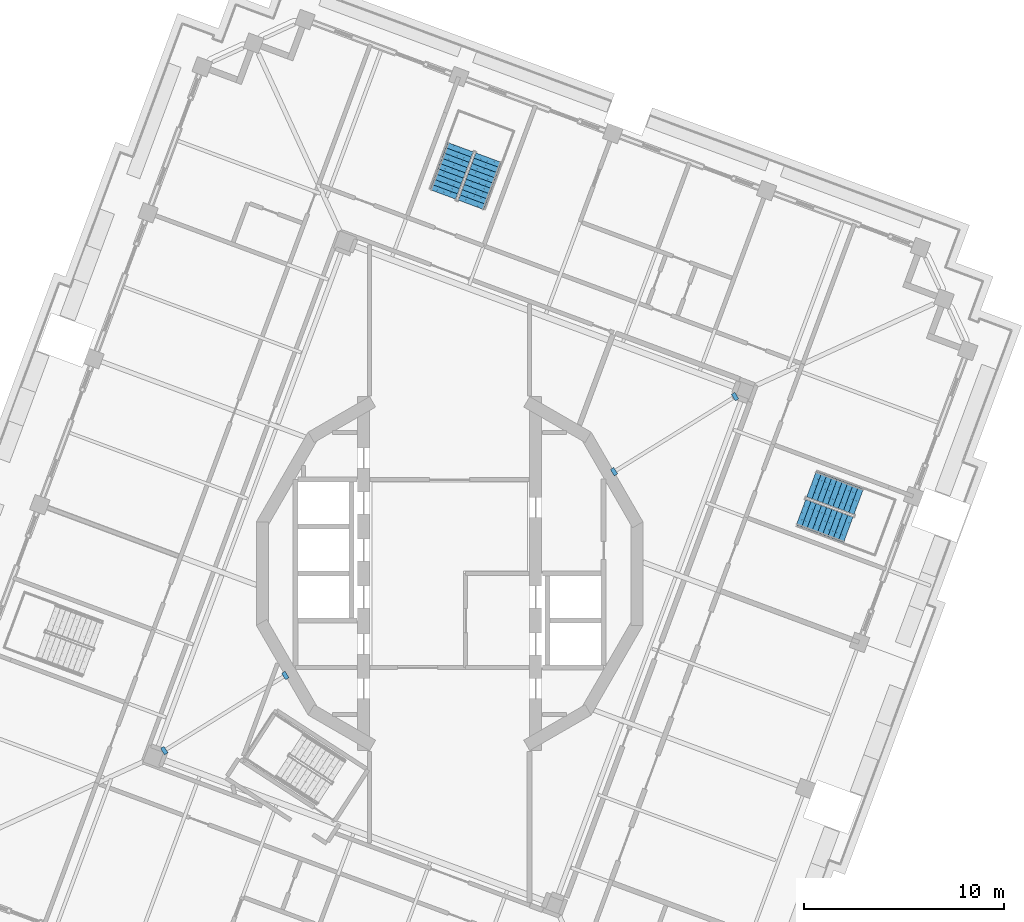
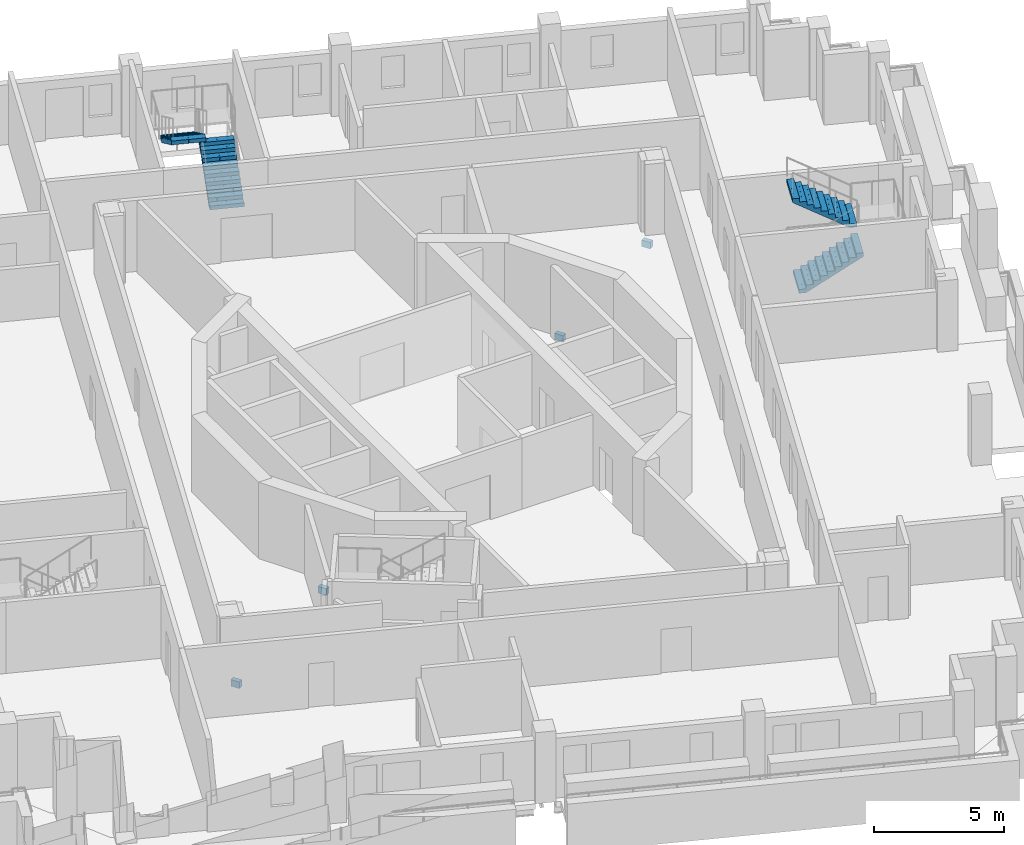
# One storey, part 10 of 18: 4 discrete accessories, 4 stair flights, 2 elements without a shape of their own.
"""IFC4 building model written with IfcOpenShell, lengths in metres."""

import ifcopenshell
import ifcopenshell.guid

model = None  # the IFC model being written
_history = None  # IfcOwnerHistory: only IFC2X3 demands one
_inside = {}  # id of a spatial element -> (the spatial element, [elements in it])
_under = {}  # id of a project, library or spatial element -> (it, [spatial elements below it])
_declared = {}  # id of a project -> (the project, [libraries it declares])
_typed = {}  # id of a type object -> (the type object, [elements of that type])
_made_of = {}  # id of a material, layer set ... -> (it, [elements and type objects made of it])


def new_model(schema):
    """Start an empty IFC model of exactly this schema.

    Asked for "IFC4X3", IfcOpenShell would pick the latest addendum, in which some entities
    have other attributes; the version numbers below select the first issue.
    IFC2X3 requires an IfcOwnerHistory on every rooted entity: one is made here for all.
    """
    global model, _history
    if schema == "IFC4X3":
        model = ifcopenshell.file(schema_version=(4, 3, 0, 0))
    else:
        model = ifcopenshell.file(schema=schema)
    _inside.clear()
    _under.clear()
    _declared.clear()
    _typed.clear()
    _made_of.clear()
    _history = None
    if model.schema == "IFC2X3":
        org = make("IfcOrganization", Name="unknown")
        user = make(
            "IfcPersonAndOrganization",
            ThePerson=make("IfcPerson", FamilyName="unknown"),
            TheOrganization=org,
        )
        app = make(
            "IfcApplication",
            ApplicationDeveloper=org,
            Version="unknown",
            ApplicationFullName="unknown",
            ApplicationIdentifier="unknown",
        )
        _history = make(
            "IfcOwnerHistory",
            OwningUser=user,
            OwningApplication=app,
            ChangeAction="ADDED",
            CreationDate=0,
        )
    return model


def make(cls, **values):
    """One entity of the class cls with the attributes given. An attribute that is None is left unset."""
    return model.create_entity(
        cls, **{name: value for name, value in values.items() if value is not None}
    )


def rooted(cls, **values):
    """An entity with a GlobalId (a new one), such as an element, a storey or a relation."""
    return make(cls, GlobalId=ifcopenshell.guid.new(), OwnerHistory=_history, **values)


def si_unit(unit_type, name, prefix=None):
    """IfcSIUnit, for example si_unit("LENGTHUNIT", "METRE", prefix="MILLI")."""
    return make("IfcSIUnit", UnitType=unit_type, Prefix=prefix, Name=name)


def assignment(units):
    """IfcUnitAssignment: the units of a project."""
    return None if units is None else make("IfcUnitAssignment", Units=units)


def point(xyz):
    """IfcCartesianPoint."""
    return None if xyz is None else make("IfcCartesianPoint", Coordinates=xyz)


def direction(xyz):
    """IfcDirection."""
    return None if xyz is None else make("IfcDirection", DirectionRatios=xyz)


def frame(location, z_axis=None, x_axis=None):
    """IfcAxis2Placement3D, a coordinate frame: its origin and axes. An axis left out is left unset."""
    return make(
        "IfcAxis2Placement3D",
        Location=point(location),
        Axis=direction(z_axis),
        RefDirection=direction(x_axis),
    )


def origin():
    """The frame at (0, 0, 0) with its axes left unset."""
    return frame((0.0, 0.0, 0.0))


def place(relative_to, where):
    """IfcLocalPlacement: puts the frame where relative to a parent placement (None: the world)."""
    return make(
        "IfcLocalPlacement", PlacementRelTo=relative_to, RelativePlacement=where
    )


def context(
    kind, dimensions, precision=None, world=None, true_north=None, identifier=None
):
    """IfcGeometricRepresentationContext, for example the 3D "Model" context."""
    return make(
        "IfcGeometricRepresentationContext",
        ContextIdentifier=identifier,
        ContextType=kind,
        CoordinateSpaceDimension=dimensions,
        Precision=precision,
        WorldCoordinateSystem=world,
        TrueNorth=true_north,
    )


def subcontext(parent, identifier, kind, view, scale=None):
    """IfcGeometricRepresentationSubContext, for example "Body" below "Model"."""
    return make(
        "IfcGeometricRepresentationSubContext",
        ContextIdentifier=identifier,
        ContextType=kind,
        ParentContext=parent,
        TargetScale=scale,
        TargetView=view,
    )


def project(units=None, contexts=None):
    """IfcProject with its units and contexts."""
    return rooted(
        "IfcProject",
        Name="project",
        RepresentationContexts=contexts,
        UnitsInContext=assignment(units),
    )


def spatial(cls, under=None, at=None, **own):
    """A site, building, storey or space (cls), placed at a placement, below another one or the project."""
    s = rooted(cls, ObjectPlacement=at, **own)
    if under is not None:
        _under.setdefault(under.id(), (under, []))[1].append(s)
    return s


def polyline(points):
    """IfcPolyline through the points."""
    return make("IfcPolyline", Points=[point(p) for p in points])


def outline(outer, holes=None, kind="AREA"):
    """IfcArbitraryClosedProfileDef: a profile drawn as a closed curve; with holes, ...WithVoids."""
    if holes is None:
        return make("IfcArbitraryClosedProfileDef", ProfileType=kind, OuterCurve=outer)
    return make(
        "IfcArbitraryProfileDefWithVoids",
        ProfileType=kind,
        OuterCurve=outer,
        InnerCurves=holes,
    )


def extrude(swept, where, along, depth):
    """IfcExtrudedAreaSolid: the profile swept, set in the frame where, extruded along a direction by depth."""
    return make(
        "IfcExtrudedAreaSolid",
        SweptArea=swept,
        Position=where,
        ExtrudedDirection=direction(along),
        Depth=depth,
    )


def shape(context_of_items, identifier, shape_type, items):
    """IfcShapeRepresentation: the items that make up one representation, for example the "Body"."""
    return make(
        "IfcShapeRepresentation",
        ContextOfItems=context_of_items,
        RepresentationIdentifier=identifier,
        RepresentationType=shape_type,
        Items=items,
    )


def material(Name=None, Category=None):
    """IfcMaterial."""
    return make("IfcMaterial", Name=Name, Category=Category)


def layer(
    of_material, thickness, ventilated=None, Name=None, Category=None, Priority=None
):
    """IfcMaterialLayer: one layer of a wall or slab, of a material (None: an air gap)."""
    return make(
        "IfcMaterialLayer",
        Material=of_material,
        LayerThickness=thickness,
        IsVentilated=ventilated,
        Name=Name,
        Category=Category,
        Priority=Priority,
    )


def layer_set(layers, Name=None):
    """IfcMaterialLayerSet."""
    return make("IfcMaterialLayerSet", MaterialLayers=layers, LayerSetName=Name)


def made_of(thing, what):
    """Note that an element or type object is made of a material, layer set ...; save() writes the relation."""
    if what is not None:
        _made_of.setdefault(what.id(), (what, []))[1].append(thing)
    return thing


def type_object(cls, material=None, **own):
    """A type object (cls), such as IfcWallType, which elements share."""
    return made_of(rooted(cls, **own), material)


def element(
    cls,
    number,
    at=None,
    inside=None,
    cuts=None,
    type_object=None,
    material=None,
    context=None,
    identifier="Body",
    shape_type=None,
    held_by="IfcProductDefinitionShape",
    body=None,
    shapes=None,
    **own,
):
    """One element of the class cls, such as IfcWall. Its Tag is "e" and its number.

    at: its placement. inside: the storey or other place that contains it. cuts: it is an
    opening in that element (IfcRelVoidsElement). A single representation is given by context,
    identifier, shape_type and body (its items); several are given by shapes. held_by: the class
    of the entity that holds the representations. save() writes the other relations.
    """
    e = rooted(cls, Tag="e%d" % number, ObjectPlacement=at, **own)
    if body is not None:
        shapes = [shape(context, identifier, shape_type, body)]
    if shapes is not None:
        e.Representation = make(held_by, Representations=shapes)
    if inside is not None:
        _inside.setdefault(inside.id(), (inside, []))[1].append(e)
    if cuts is not None:
        rooted(
            "IfcRelVoidsElement", RelatingBuildingElement=cuts, RelatedOpeningElement=e
        )
    if type_object is not None:
        _typed.setdefault(type_object.id(), (type_object, []))[1].append(e)
    return made_of(e, material)


def aggregate(whole, parts):
    """IfcRelAggregates: a whole, such as a stair, and the parts it consists of."""
    return rooted("IfcRelAggregates", RelatingObject=whole, RelatedObjects=parts)


def save(model, path):
    """Write the relations noted so far, then the file.

    IfcRelAggregates (storeys below a building ...), IfcRelContainedInSpatialStructure (elements
    in a storey), IfcRelDefinesByType, IfcRelAssociatesMaterial and IfcRelDeclares: one each for
    every whole, place, type object, material and project.
    """
    for whole, parts in _under.values():
        aggregate(whole, parts)
    for where, things in _inside.values():
        rooted(
            "IfcRelContainedInSpatialStructure",
            RelatedElements=things,
            RelatingStructure=where,
        )
    for kind, things in _typed.values():
        rooted("IfcRelDefinesByType", RelatedObjects=things, RelatingType=kind)
    for what, things in _made_of.values():
        rooted("IfcRelAssociatesMaterial", RelatedObjects=things, RelatingMaterial=what)
    for by, libraries in _declared.values():
        rooted("IfcRelDeclares", RelatingContext=by, RelatedDefinitions=libraries)
    model.write(path)


model = new_model("IFC4")

# Units and contexts
model_context = context("Model", 3, precision=1e-05, world=origin(), true_north=direction((0.0, 1.0)))
body_context = subcontext(model_context, "Body", "Model", "MODEL_VIEW")
ifc_project = project(units=[si_unit("LENGTHUNIT", "METRE"), si_unit("AREAUNIT", "SQUARE_METRE"), si_unit("VOLUMEUNIT", "CUBIC_METRE"), si_unit("PLANEANGLEUNIT", "RADIAN"), si_unit("MASSUNIT", "GRAM", prefix="KILO")], contexts=[model_context])

# Site, building, storey
site_placement = place(None, origin())
site = spatial("IfcSite", under=ifc_project, at=site_placement, CompositionType="ELEMENT")
building_placement = place(site_placement, origin())
building = spatial("IfcBuilding", under=site, at=building_placement, Name="Cantera Rosa Tower", CompositionType="ELEMENT")
storey_placement = place(building_placement, frame((0.0, 0.0, 338.5)))
storey = spatial("IfcBuildingStorey", under=building, at=storey_placement, Name="L76", CompositionType="ELEMENT", Elevation=338.5)

# Stair, stair flights
ifc_material_1 = material(Name="Concrete C35/45", Category="concrete")
stair_type = type_object("IfcStairType", Name="EXIT STAIR 1350 DOGLEG", PredefinedType="HALF_TURN_STAIR", material=ifc_material_1)
stair_1_placement = place(storey_placement, origin())
stair_1 = element("IfcStair", 1, at=stair_1_placement, inside=storey, type_object=stair_type, Name="L76 ST-61", PredefinedType="HALF_TURN_STAIR")
ifc_material_2 = material(Name="Concrete C35/45", Category="concrete")
stair_flight_type = type_object("IfcStairFlightType", Name="STAIR FLIGHT 1350 R20x180", PredefinedType="STRAIGHT", material=ifc_material_2)
stair_flight_1_placement = place(storey_placement, frame((17.55908203125, 3.064453125, 0.0), z_axis=(0.0, 0.0, 1.0), x_axis=(0.937686938944, -0.347481229039, 0.0)))
stair_flight_1 = element("IfcStairFlight", 2, at=stair_flight_1_placement, type_object=stair_flight_type, Name="ST-61 flight 1", NumberOfRisers=10, NumberOfTreads=9, PredefinedType="STRAIGHT", RiserHeight=0.18, TreadLength=0.28, context=body_context, shape_type="SweptSolid", body=[
    extrude(outline(polyline([(0.0, 0.0), (0.0, 0.179931640625), (0.280029296875, 0.179931640625), (0.280029296875, 0.360107421875), (0.56005859375, 0.360107421875), (0.56005859375, 0.5400390625), (0.840087890625, 0.5400390625), (0.840087890625, 0.719970703125), (1.1201171875, 0.719970703125), (1.1201171875, 0.89990234375), (1.39990234375, 0.89990234375), (1.39990234375, 1.080078125), (1.679931640625, 1.080078125), (1.679931640625, 1.260009765625), (1.9599609375, 1.260009765625), (1.9599609375, 1.43994140625), (2.239990234375, 1.43994140625), (2.239990234375, 1.6201171875), (2.52001953125, 1.6201171875), (2.52001953125, 1.800048828125), (2.52001953125, 1.44189453125), (0.277099609375, 0.0), (0.0, 0.0)])), frame((0.0, 0.675048828125, 0.0), z_axis=(0.0, -1.0, 0.0), x_axis=(1.0, 0.0, 0.0)), (0.0, 0.0, 1.0), 0.3359375),
    extrude(outline(polyline([(0.0, 0.0), (0.0, 0.179931640625), (0.280029296875, 0.179931640625), (0.280029296875, 0.360107421875), (0.56005859375, 0.360107421875), (0.56005859375, 0.5400390625), (0.840087890625, 0.5400390625), (0.840087890625, 0.719970703125), (1.1201171875, 0.719970703125), (1.1201171875, 0.89990234375), (1.39990234375, 0.89990234375), (1.39990234375, 1.080078125), (1.679931640625, 1.080078125), (1.679931640625, 1.260009765625), (1.9599609375, 1.260009765625), (1.9599609375, 1.43994140625), (2.239990234375, 1.43994140625), (2.239990234375, 1.6201171875), (2.52001953125, 1.6201171875), (2.52001953125, 1.800048828125), (2.52001953125, 1.44189453125), (0.277099609375, 0.0), (0.0, 0.0)])), frame((0.0, 0.337158203125, 0.0), z_axis=(0.0, -1.0, 0.0), x_axis=(1.0, 0.0, 0.0)), (0.0, 0.0, 1.0), 0.3359375),
    extrude(outline(polyline([(0.0, 0.0), (0.0, 0.179931640625), (0.280029296875, 0.179931640625), (0.280029296875, 0.360107421875), (0.56005859375, 0.360107421875), (0.56005859375, 0.5400390625), (0.840087890625, 0.5400390625), (0.840087890625, 0.719970703125), (1.1201171875, 0.719970703125), (1.1201171875, 0.89990234375), (1.39990234375, 0.89990234375), (1.39990234375, 1.080078125), (1.679931640625, 1.080078125), (1.679931640625, 1.260009765625), (1.9599609375, 1.260009765625), (1.9599609375, 1.43994140625), (2.239990234375, 1.43994140625), (2.239990234375, 1.6201171875), (2.52001953125, 1.6201171875), (2.52001953125, 1.800048828125), (2.52001953125, 1.44189453125), (0.277099609375, 0.0), (0.0, 0.0)])), frame((0.0, -0.000732421875, 0.0), z_axis=(0.0, -1.0, 0.0), x_axis=(1.0, 0.0, 0.0)), (0.0, 0.0, 1.0), 0.3359375),
    extrude(outline(polyline([(0.0, 0.0), (0.0, 0.179931640625), (0.280029296875, 0.179931640625), (0.280029296875, 0.360107421875), (0.56005859375, 0.360107421875), (0.56005859375, 0.5400390625), (0.840087890625, 0.5400390625), (0.840087890625, 0.719970703125), (1.1201171875, 0.719970703125), (1.1201171875, 0.89990234375), (1.39990234375, 0.89990234375), (1.39990234375, 1.080078125), (1.679931640625, 1.080078125), (1.679931640625, 1.260009765625), (1.9599609375, 1.260009765625), (1.9599609375, 1.43994140625), (2.239990234375, 1.43994140625), (2.239990234375, 1.6201171875), (2.52001953125, 1.6201171875), (2.52001953125, 1.800048828125), (2.52001953125, 1.44189453125), (0.277099609375, 0.0), (0.0, 0.0)])), frame((0.0, -0.338623046875, 0.0), z_axis=(0.0, -1.0, 0.0), x_axis=(1.0, 0.0, 0.0)), (0.0, 0.0, 1.0), 0.3359375),
])
stair_flight_2_placement = place(storey_placement, frame((20.443115234375, 3.595458984375, 1.800048828125), z_axis=(0.0, 0.0, 1.0), x_axis=(-0.937686938944, 0.347481229039, 0.0)))
stair_flight_2 = element("IfcStairFlight", 3, at=stair_flight_2_placement, type_object=stair_flight_type, Name="ST-61 flight 2", NumberOfRisers=10, NumberOfTreads=9, PredefinedType="STRAIGHT", RiserHeight=0.18, TreadLength=0.28, context=body_context, shape_type="SweptSolid", body=[
    extrude(outline(polyline([(0.0, 0.0), (0.0, 0.179931640625), (0.280029296875, 0.179931640625), (0.280029296875, 0.360107421875), (0.56005859375, 0.360107421875), (0.56005859375, 0.5400390625), (0.840087890625, 0.5400390625), (0.840087890625, 0.719970703125), (1.1201171875, 0.719970703125), (1.1201171875, 0.89990234375), (1.39990234375, 0.89990234375), (1.39990234375, 1.080078125), (1.679931640625, 1.080078125), (1.679931640625, 1.260009765625), (1.9599609375, 1.260009765625), (1.9599609375, 1.43994140625), (2.239990234375, 1.43994140625), (2.239990234375, 1.6201171875), (2.52001953125, 1.6201171875), (2.52001953125, 1.800048828125), (2.52001953125, 1.44189453125), (0.277099609375, 0.0), (0.0, 0.0)])), frame((0.0, 0.675048828125, 0.0), z_axis=(0.0, -1.0, 0.0), x_axis=(1.0, 0.0, 0.0)), (0.0, 0.0, 1.0), 0.3359375),
    extrude(outline(polyline([(0.0, 0.0), (0.0, 0.179931640625), (0.280029296875, 0.179931640625), (0.280029296875, 0.360107421875), (0.56005859375, 0.360107421875), (0.56005859375, 0.5400390625), (0.840087890625, 0.5400390625), (0.840087890625, 0.719970703125), (1.1201171875, 0.719970703125), (1.1201171875, 0.89990234375), (1.39990234375, 0.89990234375), (1.39990234375, 1.080078125), (1.679931640625, 1.080078125), (1.679931640625, 1.260009765625), (1.9599609375, 1.260009765625), (1.9599609375, 1.43994140625), (2.239990234375, 1.43994140625), (2.239990234375, 1.6201171875), (2.52001953125, 1.6201171875), (2.52001953125, 1.800048828125), (2.52001953125, 1.44189453125), (0.277099609375, 0.0), (0.0, 0.0)])), frame((0.0, 0.337158203125, 0.0), z_axis=(0.0, -1.0, 0.0), x_axis=(1.0, 0.0, 0.0)), (0.0, 0.0, 1.0), 0.3359375),
    extrude(outline(polyline([(0.0, 0.0), (0.0, 0.179931640625), (0.280029296875, 0.179931640625), (0.280029296875, 0.360107421875), (0.56005859375, 0.360107421875), (0.56005859375, 0.5400390625), (0.840087890625, 0.5400390625), (0.840087890625, 0.719970703125), (1.1201171875, 0.719970703125), (1.1201171875, 0.89990234375), (1.39990234375, 0.89990234375), (1.39990234375, 1.080078125), (1.679931640625, 1.080078125), (1.679931640625, 1.260009765625), (1.9599609375, 1.260009765625), (1.9599609375, 1.43994140625), (2.239990234375, 1.43994140625), (2.239990234375, 1.6201171875), (2.52001953125, 1.6201171875), (2.52001953125, 1.800048828125), (2.52001953125, 1.44189453125), (0.277099609375, 0.0), (0.0, 0.0)])), frame((0.0, -0.000732421875, 0.0), z_axis=(0.0, -1.0, 0.0), x_axis=(1.0, 0.0, 0.0)), (0.0, 0.0, 1.0), 0.3359375),
    extrude(outline(polyline([(0.0, 0.0), (0.0, 0.179931640625), (0.280029296875, 0.179931640625), (0.280029296875, 0.360107421875), (0.56005859375, 0.360107421875), (0.56005859375, 0.5400390625), (0.840087890625, 0.5400390625), (0.840087890625, 0.719970703125), (1.1201171875, 0.719970703125), (1.1201171875, 0.89990234375), (1.39990234375, 0.89990234375), (1.39990234375, 1.080078125), (1.679931640625, 1.080078125), (1.679931640625, 1.260009765625), (1.9599609375, 1.260009765625), (1.9599609375, 1.43994140625), (2.239990234375, 1.43994140625), (2.239990234375, 1.6201171875), (2.52001953125, 1.6201171875), (2.52001953125, 1.800048828125), (2.52001953125, 1.44189453125), (0.277099609375, 0.0), (0.0, 0.0)])), frame((0.0, -0.338623046875, 0.0), z_axis=(0.0, -1.0, 0.0), x_axis=(1.0, 0.0, 0.0)), (0.0, 0.0, 1.0), 0.3359375),
])
aggregate(stair_1, [stair_flight_1, stair_flight_2])

stair_2_placement = place(storey_placement, origin())
stair_2 = element("IfcStair", 4, at=stair_2_placement, inside=storey, type_object=stair_type, Name="L76 ST-62", PredefinedType="HALF_TURN_STAIR")
stair_flight_3_placement = place(storey_placement, frame((1.069580078125, 18.426513671875, 0.0), z_axis=(0.0, 0.0, 1.0), x_axis=(0.347481229039, 0.937686938944, 0.0)))
stair_flight_3 = element("IfcStairFlight", 5, at=stair_flight_3_placement, type_object=stair_flight_type, Name="ST-62 flight 1", NumberOfRisers=10, NumberOfTreads=9, PredefinedType="STRAIGHT", RiserHeight=0.18, TreadLength=0.28, context=body_context, shape_type="SweptSolid", body=[
    extrude(outline(polyline([(0.0, 0.0), (0.0, 0.179931640625), (0.280029296875, 0.179931640625), (0.280029296875, 0.360107421875), (0.56005859375, 0.360107421875), (0.56005859375, 0.5400390625), (0.840087890625, 0.5400390625), (0.840087890625, 0.719970703125), (1.1201171875, 0.719970703125), (1.1201171875, 0.89990234375), (1.39990234375, 0.89990234375), (1.39990234375, 1.080078125), (1.679931640625, 1.080078125), (1.679931640625, 1.260009765625), (1.9599609375, 1.260009765625), (1.9599609375, 1.43994140625), (2.239990234375, 1.43994140625), (2.239990234375, 1.6201171875), (2.52001953125, 1.6201171875), (2.52001953125, 1.800048828125), (2.52001953125, 1.44189453125), (0.277099609375, 0.0), (0.0, 0.0)])), frame((0.0, 0.675048828125, 0.0), z_axis=(0.0, -1.0, 0.0), x_axis=(1.0, 0.0, 0.0)), (0.0, 0.0, 1.0), 0.3359375),
    extrude(outline(polyline([(0.0, 0.0), (0.0, 0.179931640625), (0.280029296875, 0.179931640625), (0.280029296875, 0.360107421875), (0.56005859375, 0.360107421875), (0.56005859375, 0.5400390625), (0.840087890625, 0.5400390625), (0.840087890625, 0.719970703125), (1.1201171875, 0.719970703125), (1.1201171875, 0.89990234375), (1.39990234375, 0.89990234375), (1.39990234375, 1.080078125), (1.679931640625, 1.080078125), (1.679931640625, 1.260009765625), (1.9599609375, 1.260009765625), (1.9599609375, 1.43994140625), (2.239990234375, 1.43994140625), (2.239990234375, 1.6201171875), (2.52001953125, 1.6201171875), (2.52001953125, 1.800048828125), (2.52001953125, 1.44189453125), (0.277099609375, 0.0), (0.0, 0.0)])), frame((0.0, 0.337158203125, 0.0), z_axis=(0.0, -1.0, 0.0), x_axis=(1.0, 0.0, 0.0)), (0.0, 0.0, 1.0), 0.3359375),
    extrude(outline(polyline([(0.0, 0.0), (0.0, 0.179931640625), (0.280029296875, 0.179931640625), (0.280029296875, 0.360107421875), (0.56005859375, 0.360107421875), (0.56005859375, 0.5400390625), (0.840087890625, 0.5400390625), (0.840087890625, 0.719970703125), (1.1201171875, 0.719970703125), (1.1201171875, 0.89990234375), (1.39990234375, 0.89990234375), (1.39990234375, 1.080078125), (1.679931640625, 1.080078125), (1.679931640625, 1.260009765625), (1.9599609375, 1.260009765625), (1.9599609375, 1.43994140625), (2.239990234375, 1.43994140625), (2.239990234375, 1.6201171875), (2.52001953125, 1.6201171875), (2.52001953125, 1.800048828125), (2.52001953125, 1.44189453125), (0.277099609375, 0.0), (0.0, 0.0)])), frame((0.0, -0.000732421875, 0.0), z_axis=(0.0, -1.0, 0.0), x_axis=(1.0, 0.0, 0.0)), (0.0, 0.0, 1.0), 0.3359375),
    extrude(outline(polyline([(0.0, 0.0), (0.0, 0.179931640625), (0.280029296875, 0.179931640625), (0.280029296875, 0.360107421875), (0.56005859375, 0.360107421875), (0.56005859375, 0.5400390625), (0.840087890625, 0.5400390625), (0.840087890625, 0.719970703125), (1.1201171875, 0.719970703125), (1.1201171875, 0.89990234375), (1.39990234375, 0.89990234375), (1.39990234375, 1.080078125), (1.679931640625, 1.080078125), (1.679931640625, 1.260009765625), (1.9599609375, 1.260009765625), (1.9599609375, 1.43994140625), (2.239990234375, 1.43994140625), (2.239990234375, 1.6201171875), (2.52001953125, 1.6201171875), (2.52001953125, 1.800048828125), (2.52001953125, 1.44189453125), (0.277099609375, 0.0), (0.0, 0.0)])), frame((0.0, -0.338623046875, 0.0), z_axis=(0.0, -1.0, 0.0), x_axis=(1.0, 0.0, 0.0)), (0.0, 0.0, 1.0), 0.3359375),
])
stair_flight_4_placement = place(storey_placement, frame((0.53857421875, 21.310791015625, 1.800048828125), z_axis=(0.0, 0.0, 1.0), x_axis=(-0.347481229039, -0.937686938944, 0.0)))
stair_flight_4 = element("IfcStairFlight", 6, at=stair_flight_4_placement, type_object=stair_flight_type, Name="ST-62 flight 2", NumberOfRisers=10, NumberOfTreads=9, PredefinedType="STRAIGHT", RiserHeight=0.18, TreadLength=0.28, context=body_context, shape_type="SweptSolid", body=[
    extrude(outline(polyline([(0.0, 0.0), (0.0, 0.179931640625), (0.280029296875, 0.179931640625), (0.280029296875, 0.360107421875), (0.56005859375, 0.360107421875), (0.56005859375, 0.5400390625), (0.840087890625, 0.5400390625), (0.840087890625, 0.719970703125), (1.1201171875, 0.719970703125), (1.1201171875, 0.89990234375), (1.39990234375, 0.89990234375), (1.39990234375, 1.080078125), (1.679931640625, 1.080078125), (1.679931640625, 1.260009765625), (1.9599609375, 1.260009765625), (1.9599609375, 1.43994140625), (2.239990234375, 1.43994140625), (2.239990234375, 1.6201171875), (2.52001953125, 1.6201171875), (2.52001953125, 1.800048828125), (2.52001953125, 1.44189453125), (0.277099609375, 0.0), (0.0, 0.0)])), frame((0.0, 0.675048828125, 0.0), z_axis=(0.0, -1.0, 0.0), x_axis=(1.0, 0.0, 0.0)), (0.0, 0.0, 1.0), 0.3359375),
    extrude(outline(polyline([(0.0, 0.0), (0.0, 0.179931640625), (0.280029296875, 0.179931640625), (0.280029296875, 0.360107421875), (0.56005859375, 0.360107421875), (0.56005859375, 0.5400390625), (0.840087890625, 0.5400390625), (0.840087890625, 0.719970703125), (1.1201171875, 0.719970703125), (1.1201171875, 0.89990234375), (1.39990234375, 0.89990234375), (1.39990234375, 1.080078125), (1.679931640625, 1.080078125), (1.679931640625, 1.260009765625), (1.9599609375, 1.260009765625), (1.9599609375, 1.43994140625), (2.239990234375, 1.43994140625), (2.239990234375, 1.6201171875), (2.52001953125, 1.6201171875), (2.52001953125, 1.800048828125), (2.52001953125, 1.44189453125), (0.277099609375, 0.0), (0.0, 0.0)])), frame((0.0, 0.337158203125, 0.0), z_axis=(0.0, -1.0, 0.0), x_axis=(1.0, 0.0, 0.0)), (0.0, 0.0, 1.0), 0.3359375),
    extrude(outline(polyline([(0.0, 0.0), (0.0, 0.179931640625), (0.280029296875, 0.179931640625), (0.280029296875, 0.360107421875), (0.56005859375, 0.360107421875), (0.56005859375, 0.5400390625), (0.840087890625, 0.5400390625), (0.840087890625, 0.719970703125), (1.1201171875, 0.719970703125), (1.1201171875, 0.89990234375), (1.39990234375, 0.89990234375), (1.39990234375, 1.080078125), (1.679931640625, 1.080078125), (1.679931640625, 1.260009765625), (1.9599609375, 1.260009765625), (1.9599609375, 1.43994140625), (2.239990234375, 1.43994140625), (2.239990234375, 1.6201171875), (2.52001953125, 1.6201171875), (2.52001953125, 1.800048828125), (2.52001953125, 1.44189453125), (0.277099609375, 0.0), (0.0, 0.0)])), frame((0.0, -0.000732421875, 0.0), z_axis=(0.0, -1.0, 0.0), x_axis=(1.0, 0.0, 0.0)), (0.0, 0.0, 1.0), 0.3359375),
    extrude(outline(polyline([(0.0, 0.0), (0.0, 0.179931640625), (0.280029296875, 0.179931640625), (0.280029296875, 0.360107421875), (0.56005859375, 0.360107421875), (0.56005859375, 0.5400390625), (0.840087890625, 0.5400390625), (0.840087890625, 0.719970703125), (1.1201171875, 0.719970703125), (1.1201171875, 0.89990234375), (1.39990234375, 0.89990234375), (1.39990234375, 1.080078125), (1.679931640625, 1.080078125), (1.679931640625, 1.260009765625), (1.9599609375, 1.260009765625), (1.9599609375, 1.43994140625), (2.239990234375, 1.43994140625), (2.239990234375, 1.6201171875), (2.52001953125, 1.6201171875), (2.52001953125, 1.800048828125), (2.52001953125, 1.44189453125), (0.277099609375, 0.0), (0.0, 0.0)])), frame((0.0, -0.338623046875, 0.0), z_axis=(0.0, -1.0, 0.0), x_axis=(1.0, 0.0, 0.0)), (0.0, 0.0, 1.0), 0.3359375),
])
aggregate(stair_2, [stair_flight_3, stair_flight_4])

# Discrete accessories
ifc_material_3 = material(Name="Steel ASTM A992 (Fy 345 MPa)", Category="steel")
ifc_layer = layer(ifc_material_3, 0.0400390625)
ifc_layer_set = layer_set([ifc_layer], Name="STEEL BEARING PLATE 40")
discrete_accessory_type = type_object("IfcDiscreteAccessoryType", Name="STEEL BEARING PLATE 40", PredefinedType="ANCHORPLATE", material=ifc_layer_set)
discrete_accessory_1_placement = place(storey_placement, frame((0.0, 0.0, -0.60595703125)))
element("IfcDiscreteAccessory", 7, at=discrete_accessory_1_placement, inside=storey, type_object=discrete_accessory_type, Name="BEARING PLATE PG-Z6-01 end 1 L76", PredefinedType="ANCHORPLATE", context=body_context, shape_type="SweptSolid", body=[
    extrude(outline(polyline([(-14.277099609375, -8.6318359375), (-14.447021484375, -8.7373046875), (-14.247802734375, -9.05859375), (-14.077880859375, -8.953125), (-14.277099609375, -8.6318359375)])), origin(), (0.0, 0.0, 1.0), 0.305908203125),
])
discrete_accessory_2_placement = place(storey_placement, frame((0.0, 0.0, -0.60595703125)))
element("IfcDiscreteAccessory", 8, at=discrete_accessory_2_placement, inside=storey, type_object=discrete_accessory_type, Name="BEARING PLATE PG-Z6-01 end 2 L76", PredefinedType="ANCHORPLATE", context=body_context, shape_type="SweptSolid", body=[
    extrude(outline(polyline([(-8.1982421875, -5.306640625), (-8.0283203125, -5.201416015625), (-8.2275390625, -4.880126953125), (-8.3974609375, -4.985595703125), (-8.1982421875, -5.306640625)])), origin(), (0.0, 0.0, 1.0), 0.305908203125),
])
discrete_accessory_3_placement = place(storey_placement, frame((0.0, 0.0, -0.60595703125)))
element("IfcDiscreteAccessory", 9, at=discrete_accessory_3_placement, inside=storey, type_object=discrete_accessory_type, Name="BEARING PLATE PG-Z6-02 end 1 L76", PredefinedType="ANCHORPLATE", context=body_context, shape_type="SweptSolid", body=[
    extrude(outline(polyline([(14.277099609375, 8.6318359375), (14.447021484375, 8.7373046875), (14.247802734375, 9.05859375), (14.077880859375, 8.953125), (14.277099609375, 8.6318359375)])), origin(), (0.0, 0.0, 1.0), 0.305908203125),
])
discrete_accessory_4_placement = place(storey_placement, frame((0.0, 0.0, -0.60595703125)))
element("IfcDiscreteAccessory", 10, at=discrete_accessory_4_placement, inside=storey, type_object=discrete_accessory_type, Name="BEARING PLATE PG-Z6-02 end 2 L76", PredefinedType="ANCHORPLATE", context=body_context, shape_type="SweptSolid", body=[
    extrude(outline(polyline([(8.1982421875, 5.306640625), (8.0283203125, 5.201416015625), (8.2275390625, 4.880126953125), (8.3974609375, 4.985595703125), (8.1982421875, 5.306640625)])), origin(), (0.0, 0.0, 1.0), 0.305908203125),
])

save(model, "model.ifc")
